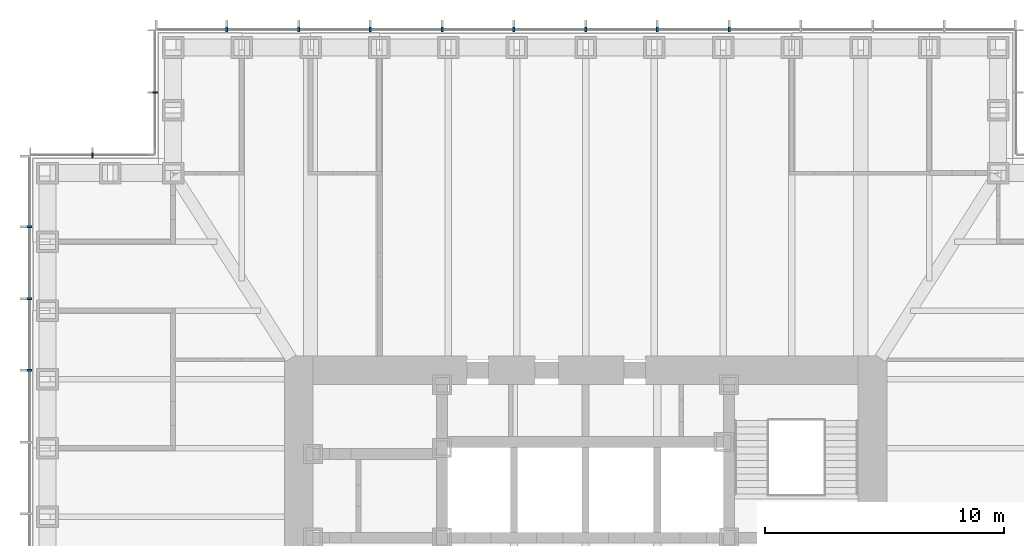
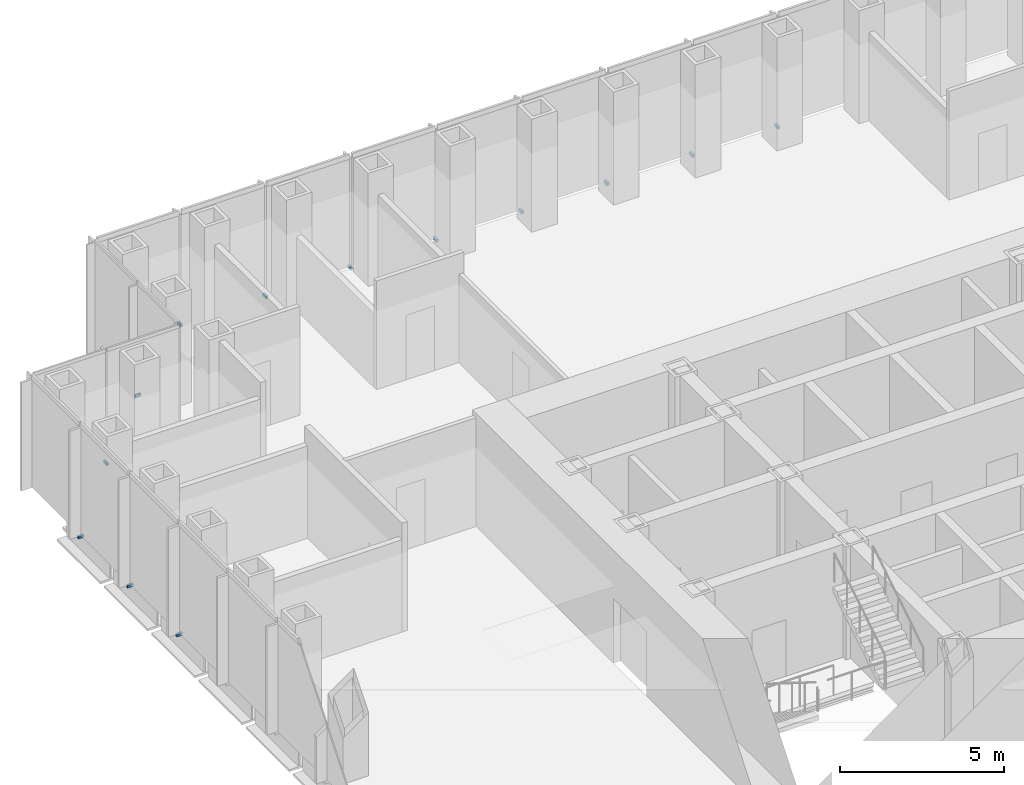
# One storey, part 15 of 17: 13 discrete accessories.
"""IFC4 building model written with IfcOpenShell, lengths in metres."""

from ifc_helpers import new_model, si_unit, direction, frame, origin, origin_2d, place, context, subcontext, project, spatial, rectangle, extrude, element, save


model = new_model("IFC4")

# Units and contexts
model_context = context("Model", 3, precision=1e-05, world=origin(), true_north=direction((0.0, 1.0)))
body_context = subcontext(model_context, "Body", "Model", "MODEL_VIEW")
ifc_project = project(units=[si_unit("LENGTHUNIT", "METRE"), si_unit("AREAUNIT", "SQUARE_METRE"), si_unit("VOLUMEUNIT", "CUBIC_METRE"), si_unit("PLANEANGLEUNIT", "RADIAN"), si_unit("MASSUNIT", "GRAM", prefix="KILO")], contexts=[model_context])

# Site, building, storey
site_placement = place(None, origin())
site = spatial("IfcSite", under=ifc_project, at=site_placement, CompositionType="ELEMENT")
building_placement = place(site_placement, origin())
building = spatial("IfcBuilding", under=site, at=building_placement, Name="Daluyong Arena Tower", CompositionType="ELEMENT")
storey_placement = place(building_placement, frame((0.0, 0.0, 154.300048828125)))
storey = spatial("IfcBuildingStorey", under=building, at=storey_placement, Name="L34", CompositionType="ELEMENT", Elevation=154.300048828125)

# Discrete accessories
for number, where, z_axis, x_axis, name in (
    (1, (62.0, 103.25, -0.10009765625), (0.0, 0.0, 1.0), (-1.0, 0.0, 0.0), "curtain wall L34 N anchor bracket 5"),
    (2, (59.0, 103.25, -0.10009765625), (0.0, 0.0, 1.0), (-1.0, 0.0, 0.0), "curtain wall L34 N anchor bracket 6"),
    (3, (56.0, 103.25, -0.10009765625), (0.0, 0.0, 1.0), (-1.0, 0.0, 0.0), "curtain wall L34 N anchor bracket 7"),
    (4, (53.0, 103.25, -0.10009765625), (0.0, 0.0, 1.0), (-1.0, 0.0, 0.0), "curtain wall L34 N anchor bracket 8"),
    (5, (50.0, 103.25, -0.10009765625), (0.0, 0.0, 1.0), (-1.0, 0.0, 0.0), "curtain wall L34 N anchor bracket 9"),
    (6, (47.0, 103.25, -0.10009765625), (0.0, 0.0, 1.0), (-1.0, 0.0, 0.0), "curtain wall L34 N anchor bracket 10"),
    (7, (44.0, 103.25, -0.10009765625), (0.0, 0.0, 1.0), (-1.0, 0.0, 0.0), "curtain wall L34 N anchor bracket 11"),
    (8, (41.0, 103.25, -0.10009765625), (0.0, 0.0, 1.0), (-1.0, 0.0, 0.0), "curtain wall L34 N anchor bracket 12"),
):
    element("IfcDiscreteAccessory", number, at=place(storey_placement, frame(where, z_axis=z_axis, x_axis=x_axis)), inside=storey, Name=name, PredefinedType="BRACKET", context=body_context, shape_type="SweptSolid", body=[
        extrude(rectangle(XDim=0.080078125, YDim=0.199951171875, at=origin_2d()), origin(), (0.0, 0.0, 1.0), 0.10009765625),
    ])
for number, where, z_axis, x_axis, name in (
    (9, (38.0, 100.625, -0.10009765625), (0.0, 0.0, 1.0), (0.0, -1.0, 0.0), "curtain wall L34 NW-W anchor bracket 2"),
    (10, (35.375, 98.0, -0.10009765625), (0.0, 0.0, 1.0), (-1.0, 0.0, 0.0), "curtain wall L34 NW-N anchor bracket 2"),
):
    element("IfcDiscreteAccessory", number, at=place(storey_placement, frame(where, z_axis=z_axis, x_axis=x_axis)), inside=storey, Name=name, PredefinedType="BRACKET", context=body_context, shape_type="SweptSolid", body=[
        extrude(rectangle(XDim=0.06005859375, YDim=0.199951171875, at=origin_2d()), origin(), (0.0, 0.0, 1.0), 0.10009765625),
    ])
for number, where, z_axis, x_axis, name in (
    (11, (32.75, 95.0, -0.10009765625), (0.0, 0.0, 1.0), (0.0, -1.0, 0.0), "curtain wall L34 W anchor bracket 2"),
    (12, (32.75, 92.0, -0.10009765625), (0.0, 0.0, 1.0), (0.0, -1.0, 0.0), "curtain wall L34 W anchor bracket 3"),
    (13, (32.75, 89.0, -0.10009765625), (0.0, 0.0, 1.0), (0.0, -1.0, 0.0), "curtain wall L34 W anchor bracket 4"),
):
    element("IfcDiscreteAccessory", number, at=place(storey_placement, frame(where, z_axis=z_axis, x_axis=x_axis)), inside=storey, Name=name, PredefinedType="BRACKET", context=body_context, shape_type="SweptSolid", body=[
        extrude(rectangle(XDim=0.080078125, YDim=0.199951171875, at=origin_2d()), origin(), (0.0, 0.0, 1.0), 0.10009765625),
    ])

save(model, "model.ifc")
